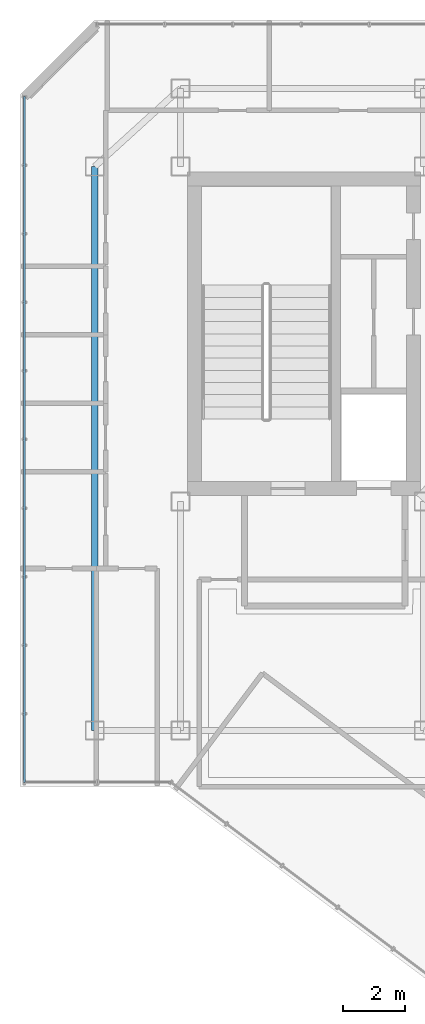
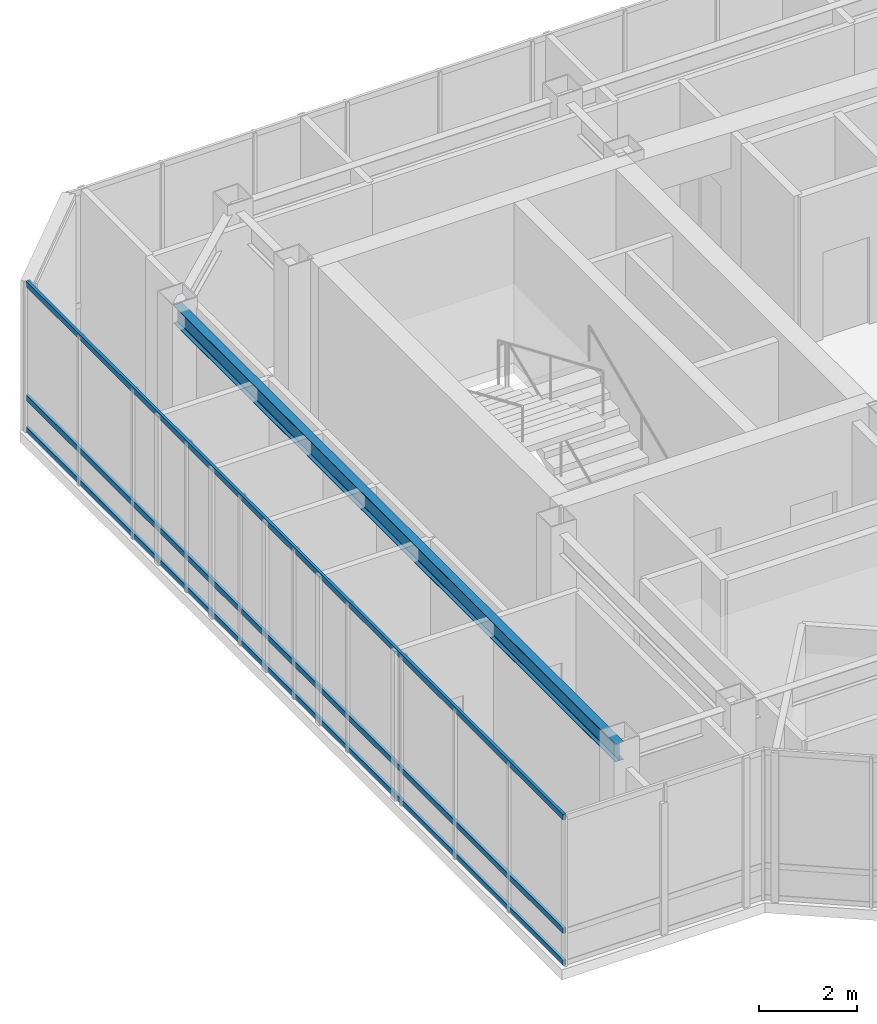
# One storey, part 12 of 29: 3 members, 1 beam, 1 element without a shape of its own.
"""IFC4 building model written with IfcOpenShell, lengths in metres."""

import ifcopenshell
import ifcopenshell.guid

model = None  # the IFC model being written
_history = None  # IfcOwnerHistory: only IFC2X3 demands one
_inside = {}  # id of a spatial element -> (the spatial element, [elements in it])
_under = {}  # id of a project, library or spatial element -> (it, [spatial elements below it])
_declared = {}  # id of a project -> (the project, [libraries it declares])
_typed = {}  # id of a type object -> (the type object, [elements of that type])
_made_of = {}  # id of a material, layer set ... -> (it, [elements and type objects made of it])


def new_model(schema):
    """Start an empty IFC model of exactly this schema.

    Asked for "IFC4X3", IfcOpenShell would pick the latest addendum, in which some entities
    have other attributes; the version numbers below select the first issue.
    IFC2X3 requires an IfcOwnerHistory on every rooted entity: one is made here for all.
    """
    global model, _history
    if schema == "IFC4X3":
        model = ifcopenshell.file(schema_version=(4, 3, 0, 0))
    else:
        model = ifcopenshell.file(schema=schema)
    _inside.clear()
    _under.clear()
    _declared.clear()
    _typed.clear()
    _made_of.clear()
    _history = None
    if model.schema == "IFC2X3":
        org = make("IfcOrganization", Name="unknown")
        user = make(
            "IfcPersonAndOrganization",
            ThePerson=make("IfcPerson", FamilyName="unknown"),
            TheOrganization=org,
        )
        app = make(
            "IfcApplication",
            ApplicationDeveloper=org,
            Version="unknown",
            ApplicationFullName="unknown",
            ApplicationIdentifier="unknown",
        )
        _history = make(
            "IfcOwnerHistory",
            OwningUser=user,
            OwningApplication=app,
            ChangeAction="ADDED",
            CreationDate=0,
        )
    return model


def make(cls, **values):
    """One entity of the class cls with the attributes given. An attribute that is None is left unset."""
    return model.create_entity(
        cls, **{name: value for name, value in values.items() if value is not None}
    )


def rooted(cls, **values):
    """An entity with a GlobalId (a new one), such as an element, a storey or a relation."""
    return make(cls, GlobalId=ifcopenshell.guid.new(), OwnerHistory=_history, **values)


def si_unit(unit_type, name, prefix=None):
    """IfcSIUnit, for example si_unit("LENGTHUNIT", "METRE", prefix="MILLI")."""
    return make("IfcSIUnit", UnitType=unit_type, Prefix=prefix, Name=name)


def assignment(units):
    """IfcUnitAssignment: the units of a project."""
    return None if units is None else make("IfcUnitAssignment", Units=units)


def point(xyz):
    """IfcCartesianPoint."""
    return None if xyz is None else make("IfcCartesianPoint", Coordinates=xyz)


def direction(xyz):
    """IfcDirection."""
    return None if xyz is None else make("IfcDirection", DirectionRatios=xyz)


def frame(location, z_axis=None, x_axis=None):
    """IfcAxis2Placement3D, a coordinate frame: its origin and axes. An axis left out is left unset."""
    return make(
        "IfcAxis2Placement3D",
        Location=point(location),
        Axis=direction(z_axis),
        RefDirection=direction(x_axis),
    )


def frame_2d(location, x_axis=None):
    """IfcAxis2Placement2D, a coordinate frame in the plane: its origin and x axis."""
    return make(
        "IfcAxis2Placement2D", Location=point(location), RefDirection=direction(x_axis)
    )


def origin():
    """The frame at (0, 0, 0) with its axes left unset."""
    return frame((0.0, 0.0, 0.0))


def origin_2d():
    """The frame at (0, 0) in the plane with its x axis left unset."""
    return frame_2d((0.0, 0.0))


def place(relative_to, where):
    """IfcLocalPlacement: puts the frame where relative to a parent placement (None: the world)."""
    return make(
        "IfcLocalPlacement", PlacementRelTo=relative_to, RelativePlacement=where
    )


def context(
    kind, dimensions, precision=None, world=None, true_north=None, identifier=None
):
    """IfcGeometricRepresentationContext, for example the 3D "Model" context."""
    return make(
        "IfcGeometricRepresentationContext",
        ContextIdentifier=identifier,
        ContextType=kind,
        CoordinateSpaceDimension=dimensions,
        Precision=precision,
        WorldCoordinateSystem=world,
        TrueNorth=true_north,
    )


def subcontext(parent, identifier, kind, view, scale=None):
    """IfcGeometricRepresentationSubContext, for example "Body" below "Model"."""
    return make(
        "IfcGeometricRepresentationSubContext",
        ContextIdentifier=identifier,
        ContextType=kind,
        ParentContext=parent,
        TargetScale=scale,
        TargetView=view,
    )


def project(units=None, contexts=None):
    """IfcProject with its units and contexts."""
    return rooted(
        "IfcProject",
        Name="project",
        RepresentationContexts=contexts,
        UnitsInContext=assignment(units),
    )


def spatial(cls, under=None, at=None, **own):
    """A site, building, storey or space (cls), placed at a placement, below another one or the project."""
    s = rooted(cls, ObjectPlacement=at, **own)
    if under is not None:
        _under.setdefault(under.id(), (under, []))[1].append(s)
    return s


def profile(cls, at=None, kind="AREA", **sizes):
    """A parametric profile (cls). Its sizes go by their IFC names, for example OverallWidth=200.0."""
    return make(cls, ProfileType=kind, Position=at, **sizes)


def hollow_rectangle(**sizes):
    """IfcRectangleHollowProfileDef."""
    return profile("IfcRectangleHollowProfileDef", **sizes)


def i_section(**sizes):
    """IfcIShapeProfileDef."""
    return profile("IfcIShapeProfileDef", **sizes)


def extrude(swept, where, along, depth):
    """IfcExtrudedAreaSolid: the profile swept, set in the frame where, extruded along a direction by depth."""
    return make(
        "IfcExtrudedAreaSolid",
        SweptArea=swept,
        Position=where,
        ExtrudedDirection=direction(along),
        Depth=depth,
    )


def shape(context_of_items, identifier, shape_type, items):
    """IfcShapeRepresentation: the items that make up one representation, for example the "Body"."""
    return make(
        "IfcShapeRepresentation",
        ContextOfItems=context_of_items,
        RepresentationIdentifier=identifier,
        RepresentationType=shape_type,
        Items=items,
    )


def material(Name=None, Category=None):
    """IfcMaterial."""
    return make("IfcMaterial", Name=Name, Category=Category)


def layer(
    of_material, thickness, ventilated=None, Name=None, Category=None, Priority=None
):
    """IfcMaterialLayer: one layer of a wall or slab, of a material (None: an air gap)."""
    return make(
        "IfcMaterialLayer",
        Material=of_material,
        LayerThickness=thickness,
        IsVentilated=ventilated,
        Name=Name,
        Category=Category,
        Priority=Priority,
    )


def layer_set(layers, Name=None):
    """IfcMaterialLayerSet."""
    return make("IfcMaterialLayerSet", MaterialLayers=layers, LayerSetName=Name)


def material_profile(
    of_material, cross_section, Name=None, Category=None, Priority=None
):
    """IfcMaterialProfile: a cross section and its material."""
    return make(
        "IfcMaterialProfile",
        Name=Name,
        Material=of_material,
        Profile=cross_section,
        Priority=Priority,
        Category=Category,
    )


def profile_set(profiles, Name=None, composite=None):
    """IfcMaterialProfileSet."""
    return make(
        "IfcMaterialProfileSet",
        Name=Name,
        MaterialProfiles=profiles,
        CompositeProfile=composite,
    )


def made_of(thing, what):
    """Note that an element or type object is made of a material, layer set ...; save() writes the relation."""
    if what is not None:
        _made_of.setdefault(what.id(), (what, []))[1].append(thing)
    return thing


def type_object(cls, material=None, **own):
    """A type object (cls), such as IfcWallType, which elements share."""
    return made_of(rooted(cls, **own), material)


def element(
    cls,
    number,
    at=None,
    inside=None,
    cuts=None,
    type_object=None,
    material=None,
    context=None,
    identifier="Body",
    shape_type=None,
    held_by="IfcProductDefinitionShape",
    body=None,
    shapes=None,
    **own,
):
    """One element of the class cls, such as IfcWall. Its Tag is "e" and its number.

    at: its placement. inside: the storey or other place that contains it. cuts: it is an
    opening in that element (IfcRelVoidsElement). A single representation is given by context,
    identifier, shape_type and body (its items); several are given by shapes. held_by: the class
    of the entity that holds the representations. save() writes the other relations.
    """
    e = rooted(cls, Tag="e%d" % number, ObjectPlacement=at, **own)
    if body is not None:
        shapes = [shape(context, identifier, shape_type, body)]
    if shapes is not None:
        e.Representation = make(held_by, Representations=shapes)
    if inside is not None:
        _inside.setdefault(inside.id(), (inside, []))[1].append(e)
    if cuts is not None:
        rooted(
            "IfcRelVoidsElement", RelatingBuildingElement=cuts, RelatedOpeningElement=e
        )
    if type_object is not None:
        _typed.setdefault(type_object.id(), (type_object, []))[1].append(e)
    return made_of(e, material)


def aggregate(whole, parts):
    """IfcRelAggregates: a whole, such as a stair, and the parts it consists of."""
    return rooted("IfcRelAggregates", RelatingObject=whole, RelatedObjects=parts)


def save(model, path):
    """Write the relations noted so far, then the file.

    IfcRelAggregates (storeys below a building ...), IfcRelContainedInSpatialStructure (elements
    in a storey), IfcRelDefinesByType, IfcRelAssociatesMaterial and IfcRelDeclares: one each for
    every whole, place, type object, material and project.
    """
    for whole, parts in _under.values():
        aggregate(whole, parts)
    for where, things in _inside.values():
        rooted(
            "IfcRelContainedInSpatialStructure",
            RelatedElements=things,
            RelatingStructure=where,
        )
    for kind, things in _typed.values():
        rooted("IfcRelDefinesByType", RelatedObjects=things, RelatingType=kind)
    for what, things in _made_of.values():
        rooted("IfcRelAssociatesMaterial", RelatedObjects=things, RelatingMaterial=what)
    for by, libraries in _declared.values():
        rooted("IfcRelDeclares", RelatingContext=by, RelatedDefinitions=libraries)
    model.write(path)


model = new_model("IFC4")

# Units and contexts
model_context = context("Model", 3, precision=1e-05, world=origin(), true_north=direction((0.0, 1.0)))
body_context = subcontext(model_context, "Body", "Model", "MODEL_VIEW")
ifc_project = project(units=[si_unit("LENGTHUNIT", "METRE"), si_unit("AREAUNIT", "SQUARE_METRE"), si_unit("VOLUMEUNIT", "CUBIC_METRE"), si_unit("PLANEANGLEUNIT", "RADIAN"), si_unit("MASSUNIT", "GRAM", prefix="KILO")], contexts=[model_context])

# Site, building, storey
site_placement = place(None, origin())
site = spatial("IfcSite", under=ifc_project, at=site_placement, CompositionType="ELEMENT")
building_placement = place(site_placement, origin())
building = spatial("IfcBuilding", under=site, at=building_placement, Name="Hatsunagi Terrace Concourse", CompositionType="ELEMENT")
storey_placement = place(building_placement, frame((0.0, 0.0, 277.949951171875)))
storey = spatial("IfcBuildingStorey", under=building, at=storey_placement, Name="L73", CompositionType="ELEMENT", Elevation=277.949951171875)

# Curtain wall, members
ifc_material_1 = material(Name="Anodised Aluminium Alloy 6063-T5", Category="aluminium")
ifc_layer = layer(ifc_material_1, 0.199951171875)
ifc_layer_set = layer_set([ifc_layer], Name="CrownWintergarden_CW06")
curtain_wall_type = type_object("IfcCurtainWallType", Name="CrownWintergarden_CW06", PredefinedType="NOTDEFINED", material=ifc_layer_set)
curtain_wall_placement = place(storey_placement, origin())
curtain_wall = element("IfcCurtainWall", 1, at=curtain_wall_placement, inside=storey, type_object=curtain_wall_type, Name="Unitised Curtain Wall CW-06 CW-L73-07", PredefinedType="NOTDEFINED")
ifc_material_2 = material(Name="Anodised Aluminium Alloy 6063-T5", Category="aluminium")
ifc_material_profile_1 = material_profile(ifc_material_2, hollow_rectangle(XDim=0.06494140625, YDim=0.139892578125, WallThickness=0.00390625, at=origin_2d()), Name="ALU-TRN-140x65x4")
ifc_profile_set_1 = profile_set([ifc_material_profile_1], Name="Anodised Aluminium Alloy 6063-T5")
member_type = type_object("IfcMemberType", Name="CurtainWallTransom_140x65", PredefinedType="USERDEFINED", material=ifc_profile_set_1)
member_1_placement = place(storey_placement, frame((20.5400390625, 23.5400390625, 0.050048828125), z_axis=(0.0, 1.0, 0.0), x_axis=(-1.0, 0.0, 0.0)))
member_1 = element("IfcMember", 2, at=member_1_placement, type_object=member_type, Name="Curtain Wall Transom TRN-02", ObjectType="TRANSOM", PredefinedType="USERDEFINED", context=body_context, shape_type="SweptSolid", body=[
    extrude(hollow_rectangle(XDim=0.06494140625, YDim=0.139892578125, WallThickness=0.00390625, at=origin_2d()), origin(), (0.0, 0.0, 1.0), 22.001953125),
])
member_2_placement = place(storey_placement, frame((20.5400390625, 23.5400390625, 0.85009765625), z_axis=(0.0, 1.0, 0.0), x_axis=(-1.0, 0.0, 0.0)))
member_2 = element("IfcMember", 3, at=member_2_placement, type_object=member_type, Name="Curtain Wall Transom TRN-02", ObjectType="TRANSOM", PredefinedType="USERDEFINED", context=body_context, shape_type="SweptSolid", body=[
    extrude(hollow_rectangle(XDim=0.06494140625, YDim=0.139892578125, WallThickness=0.00390625, at=origin_2d()), origin(), (0.0, 0.0, 1.0), 22.001953125),
])
member_3_placement = place(storey_placement, frame((20.5400390625, 23.5400390625, 3.68994140625), z_axis=(0.0, 1.0, 0.0), x_axis=(-1.0, 0.0, 0.0)))
member_3 = element("IfcMember", 4, at=member_3_placement, type_object=member_type, Name="Curtain Wall Transom TRN-02", ObjectType="TRANSOM", PredefinedType="USERDEFINED", context=body_context, shape_type="SweptSolid", body=[
    extrude(hollow_rectangle(XDim=0.06494140625, YDim=0.139892578125, WallThickness=0.00390625, at=origin_2d()), origin(), (0.0, 0.0, 1.0), 22.001953125),
])
aggregate(curtain_wall, [member_1, member_2, member_3])

# Beam
ifc_material_3 = material(Name="Steel SN490B", Category="steel")
ifc_material_profile_2 = material_profile(ifc_material_3, i_section(OverallWidth=0.199951171875, OverallDepth=0.449951171875, WebThickness=0.009033203125, FlangeThickness=0.013916015625, FilletRadius=0.01611328125, at=origin_2d()), Name="H-450x200x9x14")
ifc_profile_set_2 = profile_set([ifc_material_profile_2], Name="Steel SN490B")
beam_type = type_object("IfcBeamType", Name="PerimeterSpandrel_H_450x200", PredefinedType="SPANDREL", material=ifc_profile_set_2)
beam_placement = place(storey_placement, frame((22.800048828125, 25.199951171875, 3.525146484375), z_axis=(0.0, 1.0, 0.0), x_axis=(-1.0, 0.0, 0.0)))
element("IfcBeam", 5, at=beam_placement, inside=storey, type_object=beam_type, Name="Beam SP-02 BM-L73-CWNS", PredefinedType="SPANDREL", context=body_context, shape_type="SweptSolid", body=[
    extrude(i_section(OverallWidth=0.199951171875, OverallDepth=0.449951171875, WebThickness=0.009033203125, FlangeThickness=0.013916015625, FilletRadius=0.01611328125, at=origin_2d()), origin(), (0.0, 0.0, 1.0), 18.10009765625),
])

save(model, "model.ifc")
